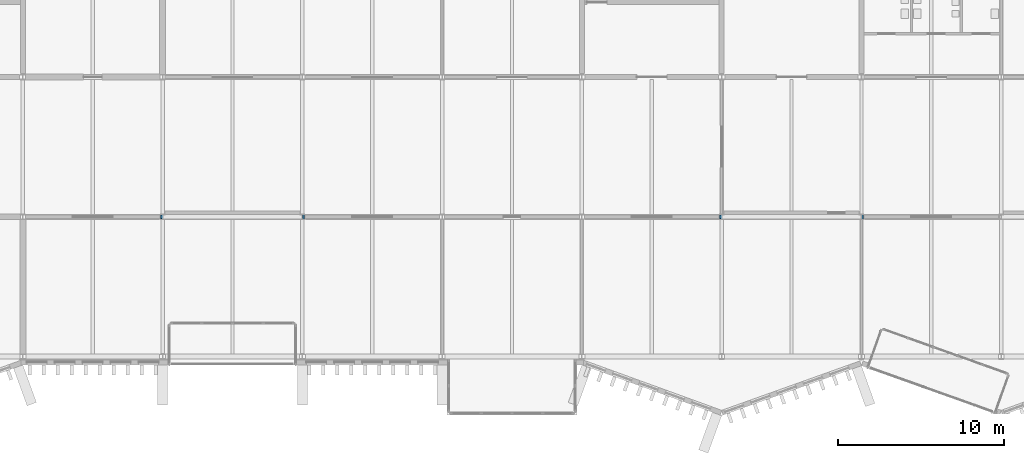
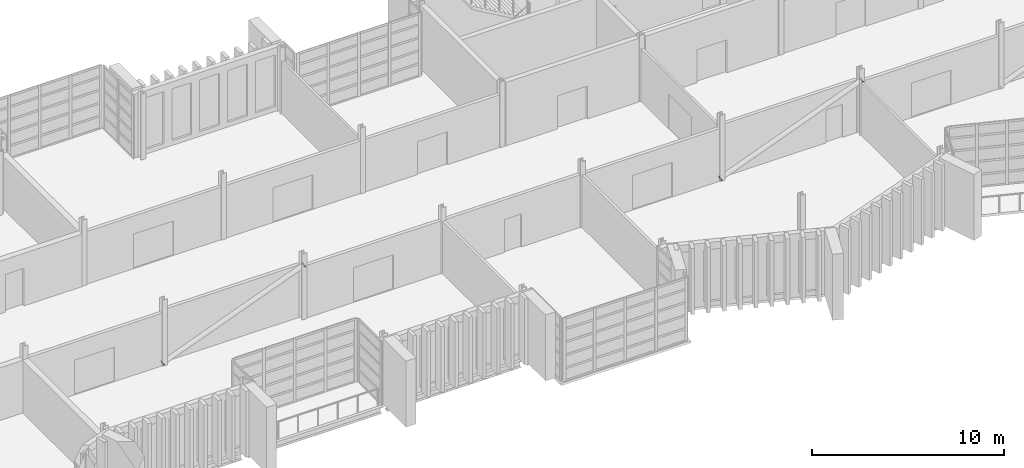
# One storey, part 83 of 100: 4 discrete accessories.
"""IFC4 building model written with IfcOpenShell, lengths in metres."""

from ifc_helpers import new_model, si_unit, direction, frame, origin, origin_2d, place, context, subcontext, project, spatial, circle, extrude, material, layer, layer_set, type_object, element, save


model = new_model("IFC4")

# Units and contexts
model_context = context("Model", 3, precision=1e-05, world=origin(), true_north=direction((0.0, 1.0)))
body_context = subcontext(model_context, "Body", "Model", "MODEL_VIEW")
ifc_project = project(units=[si_unit("LENGTHUNIT", "METRE"), si_unit("AREAUNIT", "SQUARE_METRE"), si_unit("VOLUMEUNIT", "CUBIC_METRE"), si_unit("PLANEANGLEUNIT", "RADIAN"), si_unit("MASSUNIT", "GRAM", prefix="KILO")], contexts=[model_context])

# Site, building, storey
site_placement = place(None, origin())
site = spatial("IfcSite", under=ifc_project, at=site_placement, CompositionType="ELEMENT")
building_placement = place(site_placement, origin())
building = spatial("IfcBuilding", under=site, at=building_placement, Name="Cresset Court Congress Hotel", CompositionType="ELEMENT")
storey_placement = place(building_placement, frame((0.0, 0.0, 10.199951171875)))
storey = spatial("IfcBuildingStorey", under=building, at=storey_placement, Name="L02", CompositionType="ELEMENT", Elevation=10.199951171875)

# Discrete accessories
ifc_material = material(Name="Structural steel Q355B", Category="steel")
ifc_layer = layer(ifc_material, 0.01611328125)
ifc_layer_set = layer_set([ifc_layer], Name="Brace end gusset 273x16")
discrete_accessory_type = type_object("IfcDiscreteAccessoryType", Name="Brace end gusset 273x16", PredefinedType="BRACKET", material=ifc_layer_set)
discrete_accessory_1_placement = place(storey_placement, frame((75.550048828125, 8.39990234375, 0.10009765625), z_axis=(-0.930565951697, 0.0, -0.366124308865), x_axis=(0.0, -1.0, 0.0)))
element("IfcDiscreteAccessory", 1, at=discrete_accessory_1_placement, inside=storey, type_object=discrete_accessory_type, Name="Brace end gusset L02 10-1", PredefinedType="BRACKET", context=body_context, shape_type="SweptSolid", body=[
    extrude(circle(Radius=0.156494140625, at=origin_2d()), origin(), (0.0, 0.0, 1.0), 0.01611328125),
])
discrete_accessory_2_placement = place(storey_placement, frame((84.050048828125, 8.39990234375, 3.360107421875), z_axis=(0.935697286394, 0.0, 0.35280389487), x_axis=(0.0, 1.0, 0.0)))
element("IfcDiscreteAccessory", 2, at=discrete_accessory_2_placement, inside=storey, type_object=discrete_accessory_type, Name="Brace end gusset L02 10-2", PredefinedType="BRACKET", context=body_context, shape_type="SweptSolid", body=[
    extrude(circle(Radius=0.156494140625, at=origin_2d()), origin(), (0.0, 0.0, 1.0), 0.015869140625),
])
discrete_accessory_3_placement = place(storey_placement, frame((109.14990234375, 8.39990234375, 0.10009765625), z_axis=(-0.930565951697, 0.0, -0.366124308865), x_axis=(0.0, -1.0, 0.0)))
element("IfcDiscreteAccessory", 3, at=discrete_accessory_3_placement, inside=storey, type_object=discrete_accessory_type, Name="Brace end gusset L02 14-1", PredefinedType="BRACKET", context=body_context, shape_type="SweptSolid", body=[
    extrude(circle(Radius=0.156494140625, at=origin_2d()), origin(), (0.0, 0.0, 1.0), 0.01611328125),
])
discrete_accessory_4_placement = place(storey_placement, frame((117.64990234375, 8.39990234375, 3.360107421875), z_axis=(0.935697286394, 0.0, 0.35280389487), x_axis=(0.0, 1.0, 0.0)))
element("IfcDiscreteAccessory", 4, at=discrete_accessory_4_placement, inside=storey, type_object=discrete_accessory_type, Name="Brace end gusset L02 14-2", PredefinedType="BRACKET", context=body_context, shape_type="SweptSolid", body=[
    extrude(circle(Radius=0.156494140625, at=origin_2d()), origin(), (0.0, 0.0, 1.0), 0.015869140625),
])

save(model, "model.ifc")
